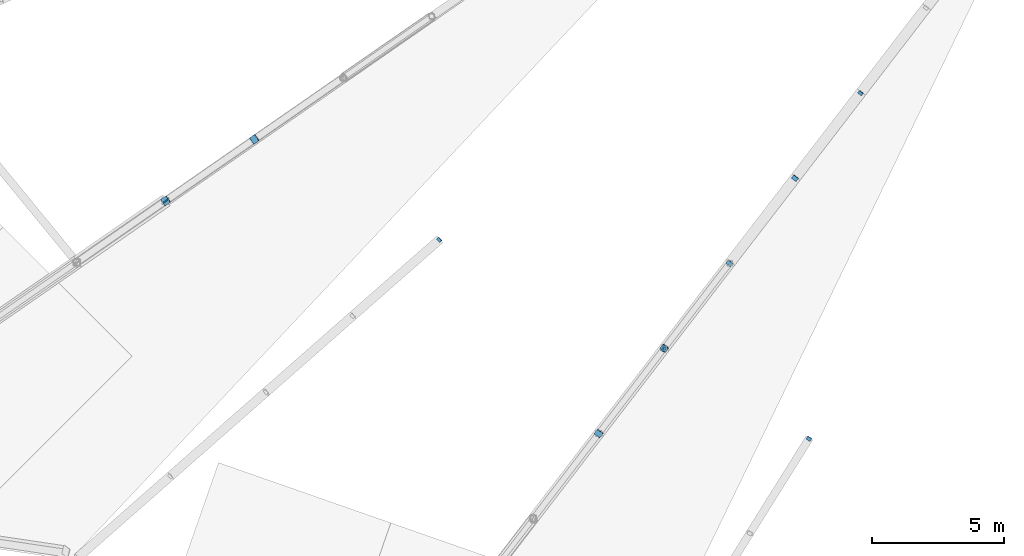
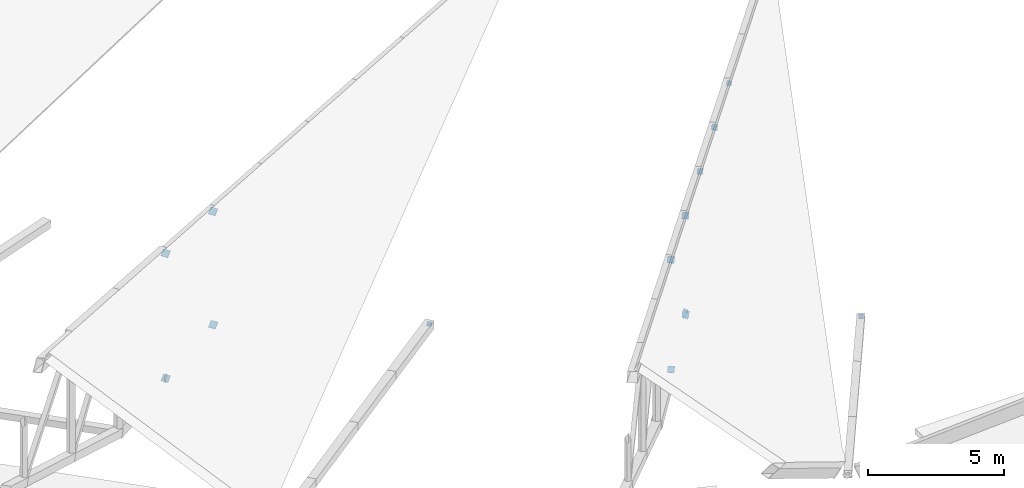
# One storey, part 122 of 188: 16 discrete accessories.
"""IFC4 building model written with IfcOpenShell, lengths in metres."""

from ifc_helpers import new_model, si_unit, direction, frame, origin, origin_2d, place, context, subcontext, project, spatial, rectangle, extrude, material, material_profile, profile_set, type_object, element, save


model = new_model("IFC4")

# Units and contexts
model_context = context("Model", 3, precision=1e-05, world=origin(), true_north=direction((0.0, 1.0)))
body_context = subcontext(model_context, "Body", "Model", "MODEL_VIEW")
ifc_project = project(units=[si_unit("LENGTHUNIT", "METRE"), si_unit("AREAUNIT", "SQUARE_METRE"), si_unit("VOLUMEUNIT", "CUBIC_METRE"), si_unit("PLANEANGLEUNIT", "RADIAN"), si_unit("MASSUNIT", "GRAM", prefix="KILO")], contexts=[model_context])

# Site, building, storey
site_placement = place(None, origin())
site = spatial("IfcSite", under=ifc_project, at=site_placement, CompositionType="ELEMENT")
building_placement = place(site_placement, origin())
building = spatial("IfcBuilding", under=site, at=building_placement, Name="Meseta Stadium", CompositionType="ELEMENT")
storey_placement = place(building_placement, frame((0.0, 0.0, 30.0)))
storey = spatial("IfcBuildingStorey", under=building, at=storey_placement, Name="ROOF", CompositionType="ELEMENT", Elevation=30.0)

# Discrete accessories
ifc_material_1 = material(Name="Steel S355", Category="steel")
ifc_material_profile_1 = material_profile(ifc_material_1, rectangle(XDim=0.179931640625, YDim=0.179931640625, at=origin_2d()), Name="PL 180x180")
ifc_profile_set_1 = profile_set([ifc_material_profile_1], Name="Steel S355")
discrete_accessory_type_1 = type_object("IfcDiscreteAccessoryType", Name="End plate 180x180x20", PredefinedType="ANCHORPLATE", material=ifc_profile_set_1)
for number, where, z_axis, x_axis, name in (
    (1, (-58.068115234375, -79.032470703125, 1.02099609375), (-0.609031921418, -0.535948090848, 0.584670644561), (0.660627894892, -0.750713516923, 0.0), "End plate of ROOF TRUSS RT-41 diagonal"),
    (2, (-42.147705078125, -73.484375, 2.886962890625), (-0.475645126622, -0.621997473275, 0.621997473275), (0.794357832977, -0.607450107571, 0.0), "End plate of ROOF TRUSS RT-42 diagonal"),
):
    element("IfcDiscreteAccessory", number, at=place(storey_placement, frame(where, z_axis=z_axis, x_axis=x_axis)), inside=storey, type_object=discrete_accessory_type_1, Name=name, PredefinedType="ANCHORPLATE", context=body_context, shape_type="SweptSolid", body=[
        extrude(rectangle(XDim=0.179931640625, YDim=0.179931640625, at=origin_2d()), origin(), (0.0, 0.0, 1.0), 0.02001953125),
    ])
discrete_accessory_1_placement = place(storey_placement, frame((-44.09716796875, -86.551025390625, 1.01953125), z_axis=(-0.385962592087, -0.615127881139, 0.687495867155), x_axis=(0.847063894508, -0.531491071064, 0.0)))
element("IfcDiscreteAccessory", 3, at=discrete_accessory_1_placement, inside=storey, type_object=discrete_accessory_type_1, Name="End plate of ROOF TRUSS RT-43 diagonal", PredefinedType="ANCHORPLATE", context=body_context, shape_type="SweptSolid", body=[
    extrude(rectangle(XDim=0.179931640625, YDim=0.179931640625, at=origin_2d()), origin(), (0.0, 0.0, 1.0), 0.020263671875),
])
ifc_material_2 = material(Name="Steel S355", Category="steel")
ifc_material_profile_2 = material_profile(ifc_material_2, rectangle(XDim=0.219970703125, YDim=0.219970703125, at=origin_2d()), Name="PL 220x220")
ifc_profile_set_2 = profile_set([ifc_material_profile_2], Name="Steel S355")
discrete_accessory_type_2 = type_object("IfcDiscreteAccessoryType", Name="End plate 220x220x20", PredefinedType="ANCHORPLATE", material=ifc_profile_set_2)
discrete_accessory_2_placement = place(storey_placement, frame((-44.622802734375, -76.703369140625, 3.72314453125), z_axis=(-0.448394272931, -0.581700678397, 0.678650791464), x_axis=(0.792010197197, -0.610507860339, 0.0)))
element("IfcDiscreteAccessory", 4, at=discrete_accessory_2_placement, inside=storey, type_object=discrete_accessory_type_2, Name="End plate of ROOF TRUSS RT-42 diagonal", PredefinedType="ANCHORPLATE", context=body_context, shape_type="SweptSolid", body=[
    extrude(rectangle(XDim=0.219970703125, YDim=0.219970703125, at=origin_2d()), origin(), (0.0, 0.0, 1.0), 0.020263671875),
])
discrete_accessory_3_placement = place(storey_placement, frame((-47.097900390625, -79.92236328125, 4.559326171875), z_axis=(-0.426607266949, -0.548495057506, 0.719137964286), x_axis=(0.789352217376, -0.613940613515, 0.0)))
element("IfcDiscreteAccessory", 5, at=discrete_accessory_3_placement, inside=storey, type_object=discrete_accessory_type_2, Name="End plate of ROOF TRUSS RT-42 diagonal", PredefinedType="ANCHORPLATE", context=body_context, shape_type="SweptSolid", body=[
    extrude(rectangle(XDim=0.219970703125, YDim=0.219970703125, at=origin_2d()), origin(), (0.0, 0.0, 1.0), 0.02001953125),
])
ifc_material_3 = material(Name="Steel S355", Category="steel")
ifc_material_profile_3 = material_profile(ifc_material_3, rectangle(XDim=0.260009765625, YDim=0.260009765625, at=origin_2d()), Name="PL 260x260")
ifc_profile_set_3 = profile_set([ifc_material_profile_3], Name="Steel S355")
discrete_accessory_type_3 = type_object("IfcDiscreteAccessoryType", Name="End plate 260x260x20", PredefinedType="ANCHORPLATE", material=ifc_profile_set_3)
for number, where, z_axis, x_axis, name in (
    (6, (-49.572998046875, -83.141357421875, 5.3955078125), (-0.403249456213, -0.513226580635, 0.757620190461), (0.786318338822, -0.617821551932, 0.0), "End plate of ROOF TRUSS RT-42 diagonal"),
    (7, (-49.565673828125, -83.131591796875, 0.96923828125), (-0.36582645651, -0.48776860868, 0.792623989105), (0.8, -0.6, 0.0), "End plate of ROOF TRUSS RT-42 diagonal"),
    (8, (-52.048095703125, -86.3603515625, 6.231689453125), (-0.376317804377, -0.485571360486, 0.78905346079), (0.790415052175, -0.612571665436, 0.0), "End plate of ROOF TRUSS RT-42 diagonal"),
    (9, (-52.041015625, -86.35107421875, 1.302978515625), (-0.352350913471, -0.461701196962, 0.814052110433), (0.794951246045, -0.60667331935, 0.0), "End plate of ROOF TRUSS RT-42 diagonal"),
    (10, (-68.420166015625, -77.56396484375, 1.31982421875), (0.625355108861, -0.772497487417, 0.110356783917), (0.777244870707, 0.629198228668, 0.0), "End plate of ROOF TRUSS STRUT RT-39/40"),
):
    element("IfcDiscreteAccessory", number, at=place(storey_placement, frame(where, z_axis=z_axis, x_axis=x_axis)), inside=storey, type_object=discrete_accessory_type_3, Name=name, PredefinedType="ANCHORPLATE", context=body_context, shape_type="SweptSolid", body=[
        extrude(rectangle(XDim=0.260009765625, YDim=0.260009765625, at=origin_2d()), origin(), (0.0, 0.0, 1.0), 0.02001953125),
    ])
discrete_accessory_4_placement = place(storey_placement, frame((-49.572998046875, -83.141357421875, 0.985107421875), z_axis=(0.874148278598, -0.41860621792, 0.246238951718), x_axis=(0.431904937574, 0.901919134346, 0.0)))
element("IfcDiscreteAccessory", 11, at=discrete_accessory_4_placement, inside=storey, type_object=discrete_accessory_type_3, Name="End plate of ROOF TRUSS STRUT RT-41/42", PredefinedType="ANCHORPLATE", context=body_context, shape_type="SweptSolid", body=[
    extrude(rectangle(XDim=0.260009765625, YDim=0.260009765625, at=origin_2d()), origin(), (0.0, 0.0, 1.0), 0.019775390625),
])
discrete_accessory_5_placement = place(storey_placement, frame((-49.58837890625, -83.1318359375, 0.993896484375), z_axis=(0.764774892766, -0.473432076474, -0.437014224438), x_axis=(0.526354614616, 0.850265146688, 0.0)))
element("IfcDiscreteAccessory", 12, at=discrete_accessory_5_placement, inside=storey, type_object=discrete_accessory_type_3, Name="End plate of ROOF TRUSS STRUT RT-42/43", PredefinedType="ANCHORPLATE", context=body_context, shape_type="SweptSolid", body=[
    extrude(rectangle(XDim=0.260009765625, YDim=0.260009765625, at=origin_2d()), origin(), (0.0, 0.0, 1.0), 0.02001953125),
])
ifc_material_4 = material(Name="Steel S355", Category="steel")
ifc_material_profile_4 = material_profile(ifc_material_4, rectangle(XDim=0.2900390625, YDim=0.2900390625, at=origin_2d()), Name="PL 290x290")
ifc_profile_set_4 = profile_set([ifc_material_profile_4], Name="Steel S355")
discrete_accessory_type_4 = type_object("IfcDiscreteAccessoryType", Name="End plate 290x290x20", PredefinedType="ANCHORPLATE", material=ifc_profile_set_4)
for number, where, z_axis, x_axis, name in (
    (13, (-65.065185546875, -75.23876953125, 6.21435546875), (-0.499147041841, -0.353055224717, 0.79133067609), (0.577464720627, -0.816415639507, 0.0), "End plate of ROOF TRUSS RT-40 diagonal"),
    (14, (-65.0556640625, -75.232177734375, 1.124755859375), (-0.475080143347, -0.328901637702, 0.816163323186), (0.56920997883, -0.822192191644, 0.0), "End plate of ROOF TRUSS RT-40 diagonal"),
    (15, (-68.420166015625, -77.56396484375, 6.91796875), (-0.476959409377, -0.317972939585, 0.819391805853), (0.554700196225, -0.832050294338, 0.0), "End plate of ROOF TRUSS RT-40 diagonal"),
    (16, (-68.411376953125, -77.5576171875, 1.302978515625), (-0.438730870209, -0.31686118404, 0.840900834567), (0.585490553844, -0.8106792284, 0.0), "End plate of ROOF TRUSS RT-40 diagonal"),
):
    element("IfcDiscreteAccessory", number, at=place(storey_placement, frame(where, z_axis=z_axis, x_axis=x_axis)), inside=storey, type_object=discrete_accessory_type_4, Name=name, PredefinedType="ANCHORPLATE", context=body_context, shape_type="SweptSolid", body=[
        extrude(rectangle(XDim=0.2900390625, YDim=0.2900390625, at=origin_2d()), origin(), (0.0, 0.0, 1.0), 0.02001953125),
    ])

save(model, "model.ifc")
